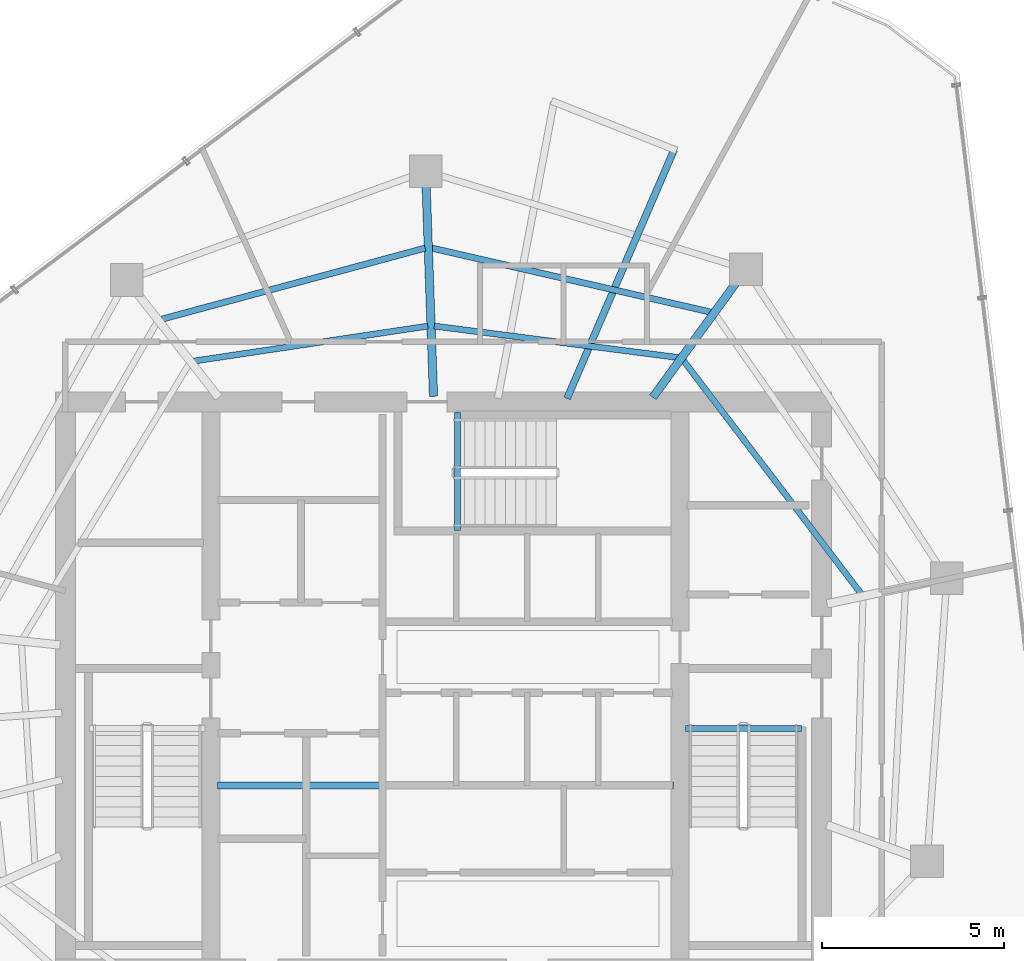
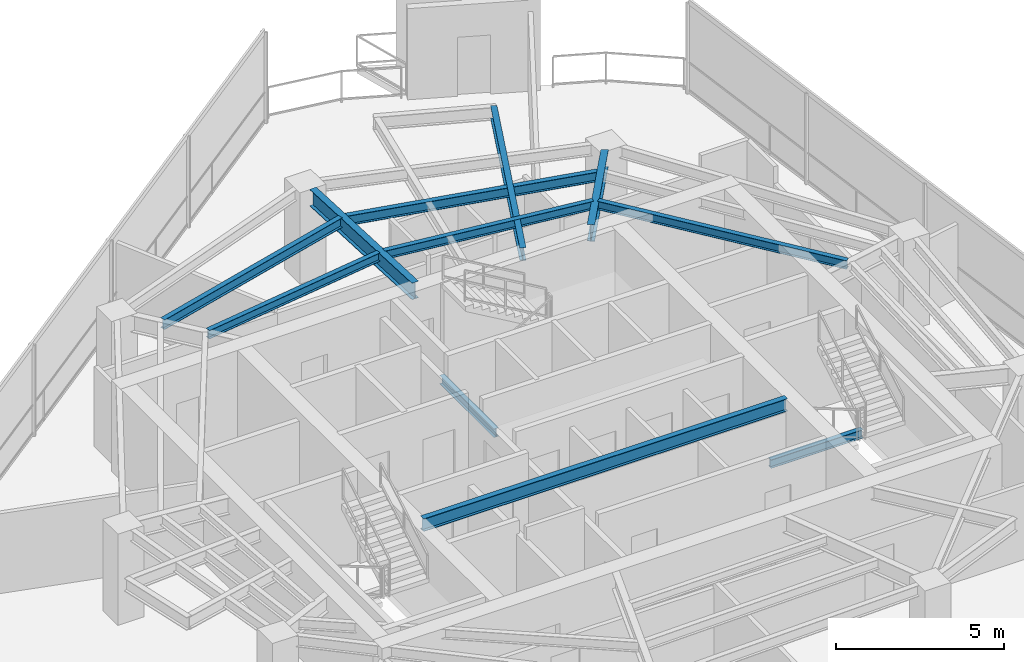
# One storey, part 6 of 18: 11 beams.
"""IFC4 building model written with IfcOpenShell, lengths in metres."""

from ifc_helpers import new_model, si_unit, direction, frame, origin, origin_2d, place, context, subcontext, project, spatial, i_section, extrude, material, material_profile, profile_set, type_object, element, save


model = new_model("IFC4")

# Units and contexts
model_context = context("Model", 3, precision=1e-05, world=origin(), true_north=direction((0.0, 1.0)))
body_context = subcontext(model_context, "Body", "Model", "MODEL_VIEW")
ifc_project = project(units=[si_unit("LENGTHUNIT", "METRE"), si_unit("AREAUNIT", "SQUARE_METRE"), si_unit("VOLUMEUNIT", "CUBIC_METRE"), si_unit("PLANEANGLEUNIT", "RADIAN"), si_unit("MASSUNIT", "GRAM", prefix="KILO")], contexts=[model_context])

# Site, building, storey
site_placement = place(None, origin())
site = spatial("IfcSite", under=ifc_project, at=site_placement, CompositionType="ELEMENT")
building_placement = place(site_placement, origin())
building = spatial("IfcBuilding", under=site, at=building_placement, Name="Qarnah Convention Tower", CompositionType="ELEMENT")
storey_placement = place(building_placement, frame((0.0, 0.0, 205.800048828125)))
storey = spatial("IfcBuildingStorey", under=building, at=storey_placement, Name="L55", CompositionType="ELEMENT", Elevation=205.800048828125)

# Beams
ifc_material = material(Name="Structural steel S355JR", Category="steel")
ifc_material_profile_1 = material_profile(ifc_material, i_section(OverallWidth=0.19189453125, OverallDepth=0.464111328125, WebThickness=0.010986328125, FlangeThickness=0.01806640625, at=origin_2d()), Name="W460X89")
ifc_profile_set_1 = profile_set([ifc_material_profile_1], Name="Structural steel S355JR")
beam_type_1 = type_object("IfcBeamType", Name="BM-CANT-W460A", PredefinedType="BEAM", material=ifc_profile_set_1)
beam_1_placement = place(storey_placement, frame((30.97998046875, 23.64990234375, 3.087890625), z_axis=(1.0, 0.0, 0.0), x_axis=(0.0, 1.0, 0.0)))
element("IfcBeam", 1, at=beam_1_placement, inside=storey, type_object=beam_type_1, Name="L55 beam BM-L55-KC1", PredefinedType="BEAM", context=body_context, shape_type="SweptSolid", body=[
    extrude(i_section(OverallWidth=0.19189453125, OverallDepth=0.464111328125, WebThickness=0.010986328125, FlangeThickness=0.01806640625, at=origin_2d()), origin(), (0.0, 0.0, 1.0), 12.5400390625),
])
beam_2_placement = place(storey_placement, frame((40.596923828125, 34.2919921875, 3.087890625), z_axis=(0.395334358974, 0.91853728537, 0.0), x_axis=(-0.91853728537, 0.395334358974, 0.0)))
element("IfcBeam", 2, at=beam_2_placement, inside=storey, type_object=beam_type_1, Name="L55 beam BM-L55-CNT-01-1", PredefinedType="BEAM", context=body_context, shape_type="SweptSolid", body=[
    extrude(i_section(OverallWidth=0.19189453125, OverallDepth=0.464111328125, WebThickness=0.010986328125, FlangeThickness=0.01806640625, at=origin_2d()), origin(), (0.0, 0.0, 1.0), 7.4521484375),
])
ifc_material_profile_2 = material_profile(ifc_material, i_section(OverallWidth=0.166015625, OverallDepth=0.31201171875, WebThickness=0.007080078125, FlangeThickness=0.010986328125, at=origin_2d()), Name="W310X45")
ifc_profile_set_2 = profile_set([ifc_material_profile_2], Name="Structural steel S355JR")
beam_type_2 = type_object("IfcBeamType", Name="BM-JST-W310", PredefinedType="JOIST", material=ifc_profile_set_2)
beam_3_placement = place(storey_placement, frame((43.860107421875, 25.217041015625, -0.156005859375), z_axis=(1.0, 0.0, 0.0), x_axis=(0.0, 1.0, 0.0)))
element("IfcBeam", 3, at=beam_3_placement, inside=storey, type_object=beam_type_2, Name="L55 stair landing trimmer beam BM-L55-ST2-TRM", PredefinedType="BEAM", context=body_context, shape_type="SweptSolid", body=[
    extrude(i_section(OverallWidth=0.166015625, OverallDepth=0.31201171875, WebThickness=0.007080078125, FlangeThickness=0.010986328125, at=origin_2d()), origin(), (0.0, 0.0, 1.0), 3.179931640625),
])
beam_4_placement = place(storey_placement, frame((37.5830078125, 30.659912109375, -0.156005859375), z_axis=(0.0, 1.0, 0.0), x_axis=(-1.0, 0.0, 0.0)))
element("IfcBeam", 4, at=beam_4_placement, inside=storey, type_object=beam_type_2, Name="L55 stair landing trimmer beam BM-L55-ST3-TRM", PredefinedType="BEAM", context=body_context, shape_type="SweptSolid", body=[
    extrude(i_section(OverallWidth=0.166015625, OverallDepth=0.31201171875, WebThickness=0.007080078125, FlangeThickness=0.010986328125, at=origin_2d()), origin(), (0.0, 0.0, 1.0), 3.239990234375),
])
beam_5_placement = place(storey_placement, frame((48.680908203125, 28.924072265625, 3.1640625), z_axis=(-0.606259548409, 0.795266848273, 0.0), x_axis=(-0.795266848273, -0.606259548409, 0.0)))
element("IfcBeam", 5, at=beam_5_placement, inside=storey, type_object=beam_type_2, Name="L55 joist BM-L55-IJST-01", PredefinedType="JOIST", context=body_context, shape_type="SweptSolid", body=[
    extrude(i_section(OverallWidth=0.166015625, OverallDepth=0.31201171875, WebThickness=0.007080078125, FlangeThickness=0.010986328125, at=origin_2d()), origin(), (0.0, 0.0, 1.0), 8.0576171875),
])
beam_6_placement = place(storey_placement, frame((43.652099609375, 35.416015625, 3.1640625), z_axis=(-0.991788356049, 0.127890018397, 0.0), x_axis=(-0.127890018397, -0.991788356049, 0.0)))
element("IfcBeam", 6, at=beam_6_placement, inside=storey, type_object=beam_type_2, Name="L55 joist BM-L55-IJST-02", PredefinedType="JOIST", context=body_context, shape_type="SweptSolid", body=[
    extrude(i_section(OverallWidth=0.166015625, OverallDepth=0.31201171875, WebThickness=0.007080078125, FlangeThickness=0.010986328125, at=origin_2d()), origin(), (0.0, 0.0, 1.0), 6.763427734375),
])
beam_7_placement = place(storey_placement, frame((36.76611328125, 36.280029296875, 3.1640625), z_axis=(-0.989011636558, -0.14783769057, 0.0), x_axis=(0.14783769057, -0.989011636558, 0.0)))
element("IfcBeam", 7, at=beam_7_placement, inside=storey, type_object=beam_type_2, Name="L55 joist BM-L55-IJST-03", PredefinedType="JOIST", context=body_context, shape_type="SweptSolid", body=[
    extrude(i_section(OverallWidth=0.166015625, OverallDepth=0.31201171875, WebThickness=0.007080078125, FlangeThickness=0.010986328125, at=origin_2d()), origin(), (0.0, 0.0, 1.0), 6.506591796875),
])
ifc_material_profile_3 = material_profile(ifc_material, i_section(OverallWidth=0.172119140625, OverallDepth=0.35595703125, WebThickness=0.007080078125, FlangeThickness=0.011962890625, at=origin_2d()), Name="W360X51")
ifc_profile_set_3 = profile_set([ifc_material_profile_3], Name="Structural steel S355JR")
beam_type_3 = type_object("IfcBeamType", Name="BM-JST-W360", PredefinedType="JOIST", material=ifc_profile_set_3)
beam_8_placement = place(storey_placement, frame((44.553955078125, 36.6640625, 3.141845703125), z_axis=(-0.974668529412, 0.223654326526, 0.0), x_axis=(-0.223654326526, -0.974668529412, 0.0)))
element("IfcBeam", 8, at=beam_8_placement, inside=storey, type_object=beam_type_3, Name="L55 joist BM-L55-SJST-02", PredefinedType="JOIST", context=body_context, shape_type="SweptSolid", body=[
    extrude(i_section(OverallWidth=0.172119140625, OverallDepth=0.35595703125, WebThickness=0.007080078125, FlangeThickness=0.011962890625, at=origin_2d()), origin(), (0.0, 0.0, 1.0), 7.88671875),
])
beam_9_placement = place(storey_placement, frame((36.69189453125, 38.425048828125, 3.141845703125), z_axis=(-0.965438568588, -0.260630716308, 0.0), x_axis=(0.260630716308, -0.965438568588, 0.0)))
element("IfcBeam", 9, at=beam_9_placement, inside=storey, type_object=beam_type_3, Name="L55 joist BM-L55-SJST-03", PredefinedType="JOIST", context=body_context, shape_type="SweptSolid", body=[
    extrude(i_section(OverallWidth=0.172119140625, OverallDepth=0.35595703125, WebThickness=0.007080078125, FlangeThickness=0.011962890625, at=origin_2d()), origin(), (0.0, 0.0, 1.0), 7.5126953125),
])
ifc_material_profile_4 = material_profile(ifc_material, i_section(OverallWidth=0.22802734375, OverallDepth=0.60791015625, WebThickness=0.010986328125, FlangeThickness=0.01708984375, at=origin_2d()), Name="W610X113")
ifc_profile_set_4 = profile_set([ifc_material_profile_4], Name="Structural steel S355JR")
beam_type_4 = type_object("IfcBeamType", Name="BM-RAD-W610B", PredefinedType="BEAM", material=ifc_profile_set_4)
beam_10_placement = place(storey_placement, frame((42.955078125, 34.321044921875, 3.015869140625), z_axis=(0.587650613849, 0.809114797815, 0.0), x_axis=(-0.809114797815, 0.587650613849, 0.0)))
element("IfcBeam", 10, at=beam_10_placement, inside=storey, type_object=beam_type_4, Name="L55 beam BM-L55-RAD-02", PredefinedType="BEAM", context=body_context, shape_type="SweptSolid", body=[
    extrude(i_section(OverallWidth=0.22802734375, OverallDepth=0.60791015625, WebThickness=0.010986328125, FlangeThickness=0.01708984375, at=origin_2d()), origin(), (0.0, 0.0, 1.0), 3.928955078125),
])
beam_11_placement = place(storey_placement, frame((36.923095703125, 34.35009765625, 3.015869140625), z_axis=(-0.035067624348, 0.999384941713, 0.0), x_axis=(-0.999384941713, -0.035067624348, 0.0)))
element("IfcBeam", 11, at=beam_11_placement, inside=storey, type_object=beam_type_4, Name="L55 beam BM-L55-RAD-03", PredefinedType="BEAM", context=body_context, shape_type="SweptSolid", body=[
    extrude(i_section(OverallWidth=0.22802734375, OverallDepth=0.60791015625, WebThickness=0.010986328125, FlangeThickness=0.01708984375, at=origin_2d()), origin(), (0.0, 0.0, 1.0), 5.7646484375),
])

save(model, "model.ifc")
